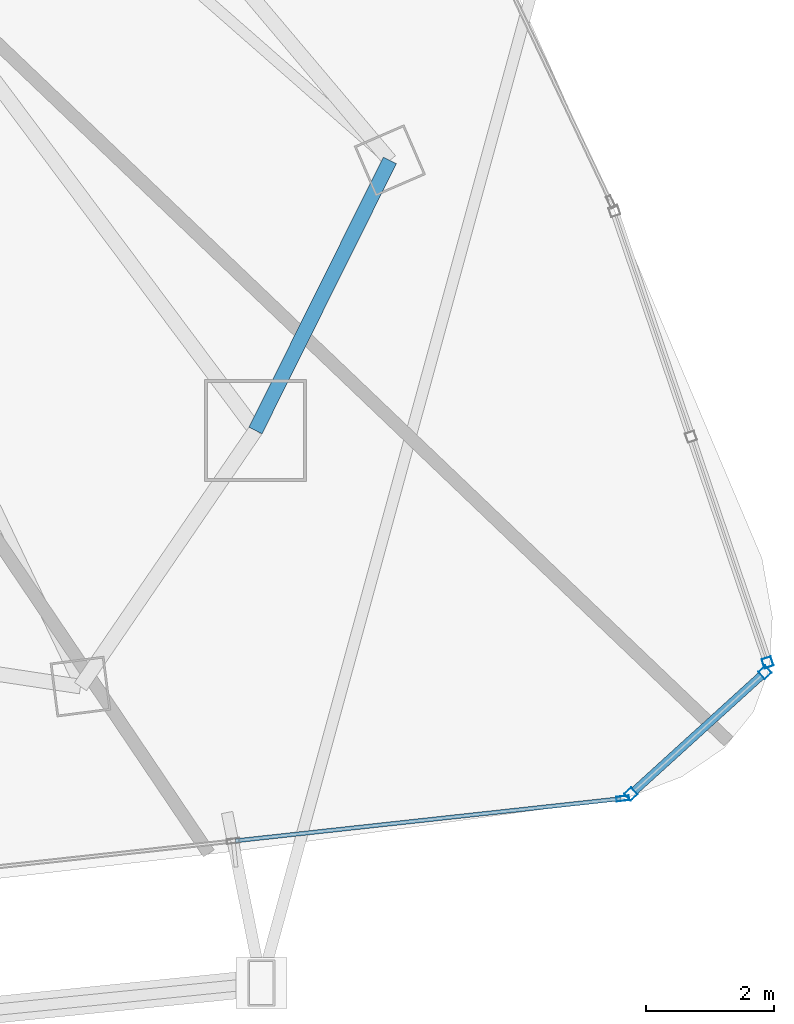
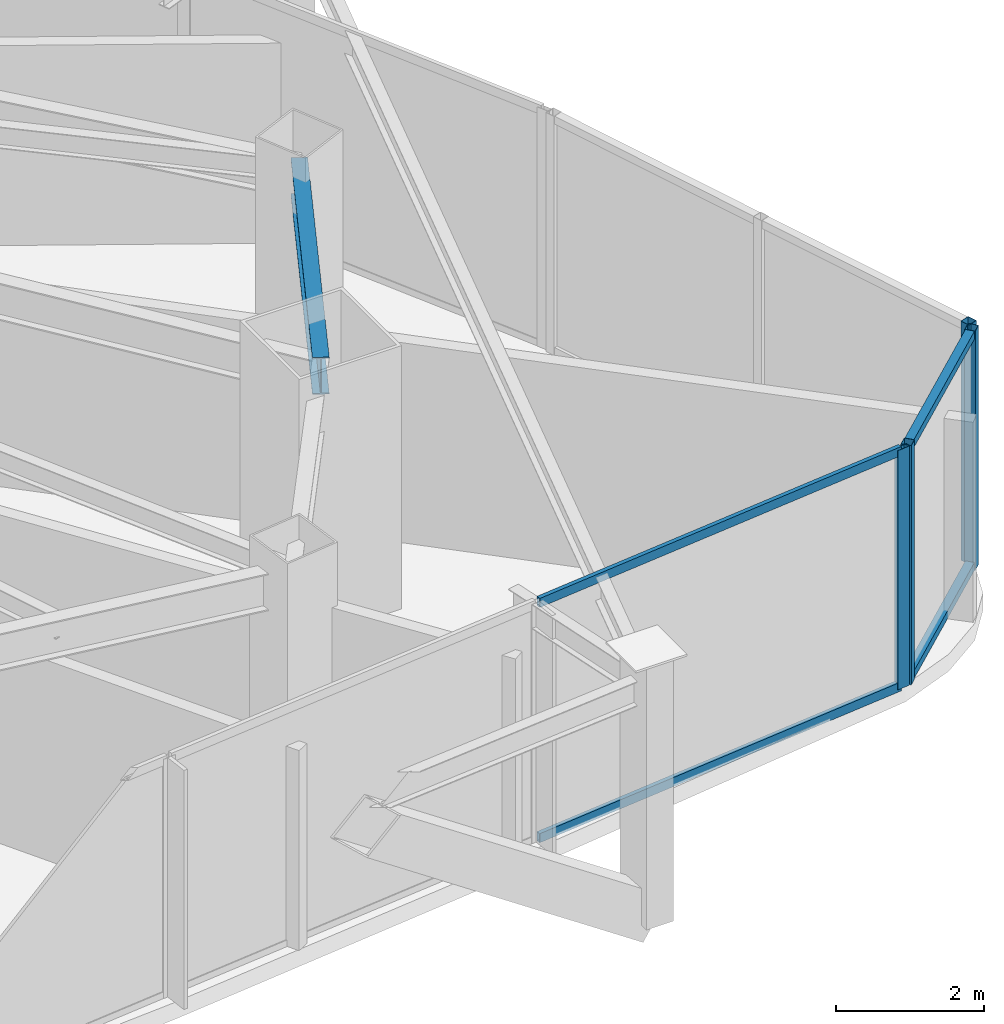
# One storey, part 13 of 33: 8 members, 1 beam, 3 elements without a shape of their own.
"""IFC4 building model written with IfcOpenShell, lengths in metres."""

import ifcopenshell
import ifcopenshell.guid

model = None  # the IFC model being written
_history = None  # IfcOwnerHistory: only IFC2X3 demands one
_inside = {}  # id of a spatial element -> (the spatial element, [elements in it])
_under = {}  # id of a project, library or spatial element -> (it, [spatial elements below it])
_declared = {}  # id of a project -> (the project, [libraries it declares])
_typed = {}  # id of a type object -> (the type object, [elements of that type])
_made_of = {}  # id of a material, layer set ... -> (it, [elements and type objects made of it])


def new_model(schema):
    """Start an empty IFC model of exactly this schema.

    Asked for "IFC4X3", IfcOpenShell would pick the latest addendum, in which some entities
    have other attributes; the version numbers below select the first issue.
    IFC2X3 requires an IfcOwnerHistory on every rooted entity: one is made here for all.
    """
    global model, _history
    if schema == "IFC4X3":
        model = ifcopenshell.file(schema_version=(4, 3, 0, 0))
    else:
        model = ifcopenshell.file(schema=schema)
    _inside.clear()
    _under.clear()
    _declared.clear()
    _typed.clear()
    _made_of.clear()
    _history = None
    if model.schema == "IFC2X3":
        org = make("IfcOrganization", Name="unknown")
        user = make(
            "IfcPersonAndOrganization",
            ThePerson=make("IfcPerson", FamilyName="unknown"),
            TheOrganization=org,
        )
        app = make(
            "IfcApplication",
            ApplicationDeveloper=org,
            Version="unknown",
            ApplicationFullName="unknown",
            ApplicationIdentifier="unknown",
        )
        _history = make(
            "IfcOwnerHistory",
            OwningUser=user,
            OwningApplication=app,
            ChangeAction="ADDED",
            CreationDate=0,
        )
    return model


def make(cls, **values):
    """One entity of the class cls with the attributes given. An attribute that is None is left unset."""
    return model.create_entity(
        cls, **{name: value for name, value in values.items() if value is not None}
    )


def rooted(cls, **values):
    """An entity with a GlobalId (a new one), such as an element, a storey or a relation."""
    return make(cls, GlobalId=ifcopenshell.guid.new(), OwnerHistory=_history, **values)


def si_unit(unit_type, name, prefix=None):
    """IfcSIUnit, for example si_unit("LENGTHUNIT", "METRE", prefix="MILLI")."""
    return make("IfcSIUnit", UnitType=unit_type, Prefix=prefix, Name=name)


def assignment(units):
    """IfcUnitAssignment: the units of a project."""
    return None if units is None else make("IfcUnitAssignment", Units=units)


def point(xyz):
    """IfcCartesianPoint."""
    return None if xyz is None else make("IfcCartesianPoint", Coordinates=xyz)


def direction(xyz):
    """IfcDirection."""
    return None if xyz is None else make("IfcDirection", DirectionRatios=xyz)


def frame(location, z_axis=None, x_axis=None):
    """IfcAxis2Placement3D, a coordinate frame: its origin and axes. An axis left out is left unset."""
    return make(
        "IfcAxis2Placement3D",
        Location=point(location),
        Axis=direction(z_axis),
        RefDirection=direction(x_axis),
    )


def frame_2d(location, x_axis=None):
    """IfcAxis2Placement2D, a coordinate frame in the plane: its origin and x axis."""
    return make(
        "IfcAxis2Placement2D", Location=point(location), RefDirection=direction(x_axis)
    )


def origin():
    """The frame at (0, 0, 0) with its axes left unset."""
    return frame((0.0, 0.0, 0.0))


def origin_2d():
    """The frame at (0, 0) in the plane with its x axis left unset."""
    return frame_2d((0.0, 0.0))


def place(relative_to, where):
    """IfcLocalPlacement: puts the frame where relative to a parent placement (None: the world)."""
    return make(
        "IfcLocalPlacement", PlacementRelTo=relative_to, RelativePlacement=where
    )


def context(
    kind, dimensions, precision=None, world=None, true_north=None, identifier=None
):
    """IfcGeometricRepresentationContext, for example the 3D "Model" context."""
    return make(
        "IfcGeometricRepresentationContext",
        ContextIdentifier=identifier,
        ContextType=kind,
        CoordinateSpaceDimension=dimensions,
        Precision=precision,
        WorldCoordinateSystem=world,
        TrueNorth=true_north,
    )


def subcontext(parent, identifier, kind, view, scale=None):
    """IfcGeometricRepresentationSubContext, for example "Body" below "Model"."""
    return make(
        "IfcGeometricRepresentationSubContext",
        ContextIdentifier=identifier,
        ContextType=kind,
        ParentContext=parent,
        TargetScale=scale,
        TargetView=view,
    )


def project(units=None, contexts=None):
    """IfcProject with its units and contexts."""
    return rooted(
        "IfcProject",
        Name="project",
        RepresentationContexts=contexts,
        UnitsInContext=assignment(units),
    )


def spatial(cls, under=None, at=None, **own):
    """A site, building, storey or space (cls), placed at a placement, below another one or the project."""
    s = rooted(cls, ObjectPlacement=at, **own)
    if under is not None:
        _under.setdefault(under.id(), (under, []))[1].append(s)
    return s


def profile(cls, at=None, kind="AREA", **sizes):
    """A parametric profile (cls). Its sizes go by their IFC names, for example OverallWidth=200.0."""
    return make(cls, ProfileType=kind, Position=at, **sizes)


def hollow_rectangle(**sizes):
    """IfcRectangleHollowProfileDef."""
    return profile("IfcRectangleHollowProfileDef", **sizes)


def i_section(**sizes):
    """IfcIShapeProfileDef."""
    return profile("IfcIShapeProfileDef", **sizes)


def extrude(swept, where, along, depth):
    """IfcExtrudedAreaSolid: the profile swept, set in the frame where, extruded along a direction by depth."""
    return make(
        "IfcExtrudedAreaSolid",
        SweptArea=swept,
        Position=where,
        ExtrudedDirection=direction(along),
        Depth=depth,
    )


def shape(context_of_items, identifier, shape_type, items):
    """IfcShapeRepresentation: the items that make up one representation, for example the "Body"."""
    return make(
        "IfcShapeRepresentation",
        ContextOfItems=context_of_items,
        RepresentationIdentifier=identifier,
        RepresentationType=shape_type,
        Items=items,
    )


def material(Name=None, Category=None):
    """IfcMaterial."""
    return make("IfcMaterial", Name=Name, Category=Category)


def layer(
    of_material, thickness, ventilated=None, Name=None, Category=None, Priority=None
):
    """IfcMaterialLayer: one layer of a wall or slab, of a material (None: an air gap)."""
    return make(
        "IfcMaterialLayer",
        Material=of_material,
        LayerThickness=thickness,
        IsVentilated=ventilated,
        Name=Name,
        Category=Category,
        Priority=Priority,
    )


def layer_set(layers, Name=None):
    """IfcMaterialLayerSet."""
    return make("IfcMaterialLayerSet", MaterialLayers=layers, LayerSetName=Name)


def material_profile(
    of_material, cross_section, Name=None, Category=None, Priority=None
):
    """IfcMaterialProfile: a cross section and its material."""
    return make(
        "IfcMaterialProfile",
        Name=Name,
        Material=of_material,
        Profile=cross_section,
        Priority=Priority,
        Category=Category,
    )


def profile_set(profiles, Name=None, composite=None):
    """IfcMaterialProfileSet."""
    return make(
        "IfcMaterialProfileSet",
        Name=Name,
        MaterialProfiles=profiles,
        CompositeProfile=composite,
    )


def made_of(thing, what):
    """Note that an element or type object is made of a material, layer set ...; save() writes the relation."""
    if what is not None:
        _made_of.setdefault(what.id(), (what, []))[1].append(thing)
    return thing


def type_object(cls, material=None, **own):
    """A type object (cls), such as IfcWallType, which elements share."""
    return made_of(rooted(cls, **own), material)


def element(
    cls,
    number,
    at=None,
    inside=None,
    cuts=None,
    type_object=None,
    material=None,
    context=None,
    identifier="Body",
    shape_type=None,
    held_by="IfcProductDefinitionShape",
    body=None,
    shapes=None,
    **own,
):
    """One element of the class cls, such as IfcWall. Its Tag is "e" and its number.

    at: its placement. inside: the storey or other place that contains it. cuts: it is an
    opening in that element (IfcRelVoidsElement). A single representation is given by context,
    identifier, shape_type and body (its items); several are given by shapes. held_by: the class
    of the entity that holds the representations. save() writes the other relations.
    """
    e = rooted(cls, Tag="e%d" % number, ObjectPlacement=at, **own)
    if body is not None:
        shapes = [shape(context, identifier, shape_type, body)]
    if shapes is not None:
        e.Representation = make(held_by, Representations=shapes)
    if inside is not None:
        _inside.setdefault(inside.id(), (inside, []))[1].append(e)
    if cuts is not None:
        rooted(
            "IfcRelVoidsElement", RelatingBuildingElement=cuts, RelatedOpeningElement=e
        )
    if type_object is not None:
        _typed.setdefault(type_object.id(), (type_object, []))[1].append(e)
    return made_of(e, material)


def aggregate(whole, parts):
    """IfcRelAggregates: a whole, such as a stair, and the parts it consists of."""
    return rooted("IfcRelAggregates", RelatingObject=whole, RelatedObjects=parts)


def save(model, path):
    """Write the relations noted so far, then the file.

    IfcRelAggregates (storeys below a building ...), IfcRelContainedInSpatialStructure (elements
    in a storey), IfcRelDefinesByType, IfcRelAssociatesMaterial and IfcRelDeclares: one each for
    every whole, place, type object, material and project.
    """
    for whole, parts in _under.values():
        aggregate(whole, parts)
    for where, things in _inside.values():
        rooted(
            "IfcRelContainedInSpatialStructure",
            RelatedElements=things,
            RelatingStructure=where,
        )
    for kind, things in _typed.values():
        rooted("IfcRelDefinesByType", RelatedObjects=things, RelatingType=kind)
    for what, things in _made_of.values():
        rooted("IfcRelAssociatesMaterial", RelatedObjects=things, RelatingMaterial=what)
    for by, libraries in _declared.values():
        rooted("IfcRelDeclares", RelatingContext=by, RelatedDefinitions=libraries)
    model.write(path)


model = new_model("IFC4")

# Units and contexts
model_context = context("Model", 3, precision=1e-05, world=origin(), true_north=direction((0.0, 1.0)))
body_context = subcontext(model_context, "Body", "Model", "MODEL_VIEW")
ifc_project = project(units=[si_unit("LENGTHUNIT", "METRE"), si_unit("AREAUNIT", "SQUARE_METRE"), si_unit("VOLUMEUNIT", "CUBIC_METRE"), si_unit("PLANEANGLEUNIT", "RADIAN"), si_unit("MASSUNIT", "GRAM", prefix="KILO")], contexts=[model_context])

# Site, building, storey
site_placement = place(None, origin())
site = spatial("IfcSite", under=ifc_project, at=site_placement, CompositionType="ELEMENT")
building_placement = place(site_placement, origin())
building = spatial("IfcBuilding", under=site, at=building_placement, Name="Orvanel Arch Residences", CompositionType="ELEMENT")
storey_placement = place(building_placement, frame((0.0, 0.0, 97.25)))
storey = spatial("IfcBuildingStorey", under=building, at=storey_placement, Name="L27", CompositionType="ELEMENT", Elevation=97.25)

# Curtain wall, members
ifc_material_1 = material(Name="Bronze-anodised aluminium AA6063-T6", Category="aluminium")
ifc_layer_1 = layer(ifc_material_1, 0.18994140625)
ifc_layer_set_1 = layer_set([ifc_layer_1], Name="Bronze-anodised aluminium AA6063-T6")
curtain_wall_type_1 = type_object("IfcCurtainWallType", Name="CW5-CRN-SYS", PredefinedType="NOTDEFINED", material=ifc_layer_set_1)
curtain_wall_1_placement = place(storey_placement, origin())
curtain_wall_1 = element("IfcCurtainWall", 1, at=curtain_wall_1_placement, inside=storey, type_object=curtain_wall_type_1, Name="L27 CW5-CRN-SYS Unitised Curtain Wall", PredefinedType="NOTDEFINED")
ifc_material_profile_1 = material_profile(ifc_material_1, hollow_rectangle(XDim=0.14990234375, YDim=0.14990234375, WallThickness=0.0048828125, at=origin_2d()), Name="ALU150x150x5")
ifc_profile_set_1 = profile_set([ifc_material_profile_1], Name="Bronze-anodised aluminium AA6063-T6")
member_type_1 = type_object("IfcMemberType", Name="MUL-150x150", PredefinedType="MULLION", material=ifc_profile_set_1)
member_1_placement = place(storey_placement, frame((57.680419921875, 4.656494140625, 0.0), z_axis=(0.0, 0.0, 1.0), x_axis=(-0.672306082751, 0.74027328136, 0.0)))
member_1 = element("IfcMember", 2, at=member_1_placement, type_object=member_type_1, Name="CW-S5 mullion 1", PredefinedType="MULLION", context=body_context, shape_type="SweptSolid", body=[
    extrude(hollow_rectangle(XDim=0.14990234375, YDim=0.14990234375, WallThickness=0.0048828125, at=origin_2d()), origin(), (0.0, 0.0, 1.0), 3.949951171875),
])
member_2_placement = place(storey_placement, frame((59.780517578125, 6.5634765625, 0.0), z_axis=(0.0, 0.0, 1.0), x_axis=(-0.672306082751, 0.74027328136, 0.0)))
member_2 = element("IfcMember", 3, at=member_2_placement, type_object=member_type_1, Name="CW-S5 mullion 2", PredefinedType="MULLION", context=body_context, shape_type="SweptSolid", body=[
    extrude(hollow_rectangle(XDim=0.14990234375, YDim=0.14990234375, WallThickness=0.0048828125, at=origin_2d()), origin(), (0.0, 0.0, 1.0), 3.949951171875),
])

# Curtain wall, member
curtain_wall_2_placement = place(storey_placement, origin())
curtain_wall_2 = element("IfcCurtainWall", 4, at=curtain_wall_2_placement, inside=storey, type_object=curtain_wall_type_1, Name="L27 CW5-CRN-SYS Unitised Curtain Wall", PredefinedType="NOTDEFINED")
member_3_placement = place(storey_placement, frame((59.82080078125, 6.717041015625, 0.0), z_axis=(0.0, 0.0, 1.0), x_axis=(-0.946935888925, -0.321422498071, 0.0)))
member_3 = element("IfcMember", 5, at=member_3_placement, type_object=member_type_1, Name="CW-S5 mullion 1", PredefinedType="MULLION", context=body_context, shape_type="SweptSolid", body=[
    extrude(hollow_rectangle(XDim=0.14990234375, YDim=0.14990234375, WallThickness=0.0048828125, at=origin_2d()), origin(), (0.0, 0.0, 1.0), 3.949951171875),
])
aggregate(curtain_wall_2, [member_3])

ifc_layer_2 = layer(ifc_material_1, 0.195068359375)
ifc_layer_set_2 = layer_set([ifc_layer_2], Name="Bronze-anodised aluminium AA6063-T6")
curtain_wall_type_2 = type_object("IfcCurtainWallType", Name="CW6-COM-SYS", PredefinedType="NOTDEFINED", material=ifc_layer_set_2)
curtain_wall_3_placement = place(storey_placement, origin())
curtain_wall_3 = element("IfcCurtainWall", 6, at=curtain_wall_3_placement, inside=storey, type_object=curtain_wall_type_2, Name="L27 CW6-COM-SYS Unitised Curtain Wall", PredefinedType="NOTDEFINED")
ifc_material_profile_2 = material_profile(ifc_material_1, hollow_rectangle(XDim=0.074951171875, YDim=0.199951171875, WallThickness=0.0048828125, at=origin_2d()), Name="ALU200x75x5")
ifc_profile_set_2 = profile_set([ifc_material_profile_2], Name="Bronze-anodised aluminium AA6063-T6")
member_type_2 = type_object("IfcMemberType", Name="MUL-200x75", PredefinedType="MULLION", material=ifc_profile_set_2)
member_4_placement = place(storey_placement, frame((57.552734375, 4.5869140625, 0.0), z_axis=(0.0, 0.0, 1.0), x_axis=(-0.108701590495, 0.994074425898, 0.0)))
member_4 = element("IfcMember", 7, at=member_4_placement, type_object=member_type_2, Name="CW-S6 mullion 4", PredefinedType="MULLION", context=body_context, shape_type="SweptSolid", body=[
    extrude(hollow_rectangle(XDim=0.074951171875, YDim=0.199951171875, WallThickness=0.0048828125, at=origin_2d()), origin(), (0.0, 0.0, 1.0), 3.949951171875),
])

# Beam
ifc_material_2 = material(Name="Structural steel AS/NZS 3679.1 Grade 300 (300 MPa)", Category="steel")
ifc_material_profile_3 = material_profile(ifc_material_2, i_section(OverallWidth=0.22900390625, OverallDepth=0.612060546875, WebThickness=0.011962890625, FlangeThickness=0.01953125, at=origin_2d()), Name="610UB125")
ifc_profile_set_3 = profile_set([ifc_material_profile_3], Name="Structural steel AS/NZS 3679.1 Grade 300 (300 MPa)")
beam_type = type_object("IfcBeamType", Name="SP-610UB", PredefinedType="SPANDREL", material=ifc_profile_set_3)
beam_placement = place(storey_placement, frame((51.801025390625, 10.35107421875, 3.64404296875), z_axis=(0.44543469453, 0.895314432425, 0.0), x_axis=(-0.895314432425, 0.44543469453, 0.0)))
element("IfcBeam", 8, at=beam_placement, inside=storey, type_object=beam_type, Name="L27 Perimeter Spandrel Beam 11", PredefinedType="SPANDREL", context=body_context, shape_type="SweptSolid", body=[
    extrude(i_section(OverallWidth=0.22900390625, OverallDepth=0.612060546875, WebThickness=0.011962890625, FlangeThickness=0.01953125, at=origin_2d()), origin(), (0.0, 0.0, 1.0), 4.723388671875),
])

# Member
ifc_material_profile_4 = material_profile(ifc_material_1, hollow_rectangle(XDim=0.1298828125, YDim=0.1298828125, WallThickness=0.00439453125, at=origin_2d()), Name="ALU130x130x4.5")
ifc_profile_set_4 = profile_set([ifc_material_profile_4], Name="Bronze-anodised aluminium AA6063-T6")
member_type_3 = type_object("IfcMemberType", Name="TRN-130x130", PredefinedType="USERDEFINED", material=ifc_profile_set_4)
member_5_placement = place(storey_placement, frame((57.736083984375, 4.706787109375, 0.06494140625), z_axis=(0.740231940946, 0.672351599688, 0.0), x_axis=(-0.672351599688, 0.740231940946, 0.0)))
member_5 = element("IfcMember", 9, at=member_5_placement, type_object=member_type_3, Name="CW-S5 transom 1.1", ObjectType="TRANSOM", PredefinedType="USERDEFINED", context=body_context, shape_type="SweptSolid", body=[
    extrude(hollow_rectangle(XDim=0.1298828125, YDim=0.1298828125, WallThickness=0.00439453125, at=origin_2d()), origin(), (0.0, 0.0, 1.0), 2.686767578125),
])

member_6_placement = place(storey_placement, frame((57.736083984375, 4.706787109375, 3.885009765625), z_axis=(0.740231940946, 0.672351599688, 0.0), x_axis=(-0.672351599688, 0.740231940946, 0.0)))
member_6 = element("IfcMember", 10, at=member_6_placement, type_object=member_type_3, Name="CW-S5 transom 1.2", ObjectType="TRANSOM", PredefinedType="USERDEFINED", context=body_context, shape_type="SweptSolid", body=[
    extrude(hollow_rectangle(XDim=0.1298828125, YDim=0.1298828125, WallThickness=0.00439453125, at=origin_2d()), origin(), (0.0, 0.0, 1.0), 2.686767578125),
])

aggregate(curtain_wall_1, [member_1, member_2, member_5, member_6])

ifc_material_profile_5 = material_profile(ifc_material_1, hollow_rectangle(XDim=0.06494140625, YDim=0.14990234375, WallThickness=0.00390625, at=origin_2d()), Name="ALU150x65x4")
ifc_profile_set_5 = profile_set([ifc_material_profile_5], Name="Bronze-anodised aluminium AA6063-T6")
member_type_4 = type_object("IfcMemberType", Name="TRN-150x65", PredefinedType="USERDEFINED", material=ifc_profile_set_5)
member_7_placement = place(storey_placement, frame((51.488037109375, 3.923828125, 0.032470703125), z_axis=(0.994077130495, 0.108676854148, 0.0), x_axis=(-0.108676854148, 0.994077130495, 0.0)))
member_7 = element("IfcMember", 11, at=member_7_placement, type_object=member_type_4, Name="CW-S6 transom 3.1", ObjectType="TRANSOM", PredefinedType="USERDEFINED", context=body_context, shape_type="SweptSolid", body=[
    extrude(hollow_rectangle(XDim=0.06494140625, YDim=0.14990234375, WallThickness=0.00390625, at=origin_2d()), origin(), (0.0, 0.0, 1.0), 6.063232421875),
])

member_8_placement = place(storey_placement, frame((51.488037109375, 3.923828125, 3.91748046875), z_axis=(0.994077130495, 0.108676854148, 0.0), x_axis=(-0.108676854148, 0.994077130495, 0.0)))
member_8 = element("IfcMember", 12, at=member_8_placement, type_object=member_type_4, Name="CW-S6 transom 3.2", ObjectType="TRANSOM", PredefinedType="USERDEFINED", context=body_context, shape_type="SweptSolid", body=[
    extrude(hollow_rectangle(XDim=0.06494140625, YDim=0.14990234375, WallThickness=0.00390625, at=origin_2d()), origin(), (0.0, 0.0, 1.0), 6.063232421875),
])

aggregate(curtain_wall_3, [member_4, member_7, member_8])

save(model, "model.ifc")
